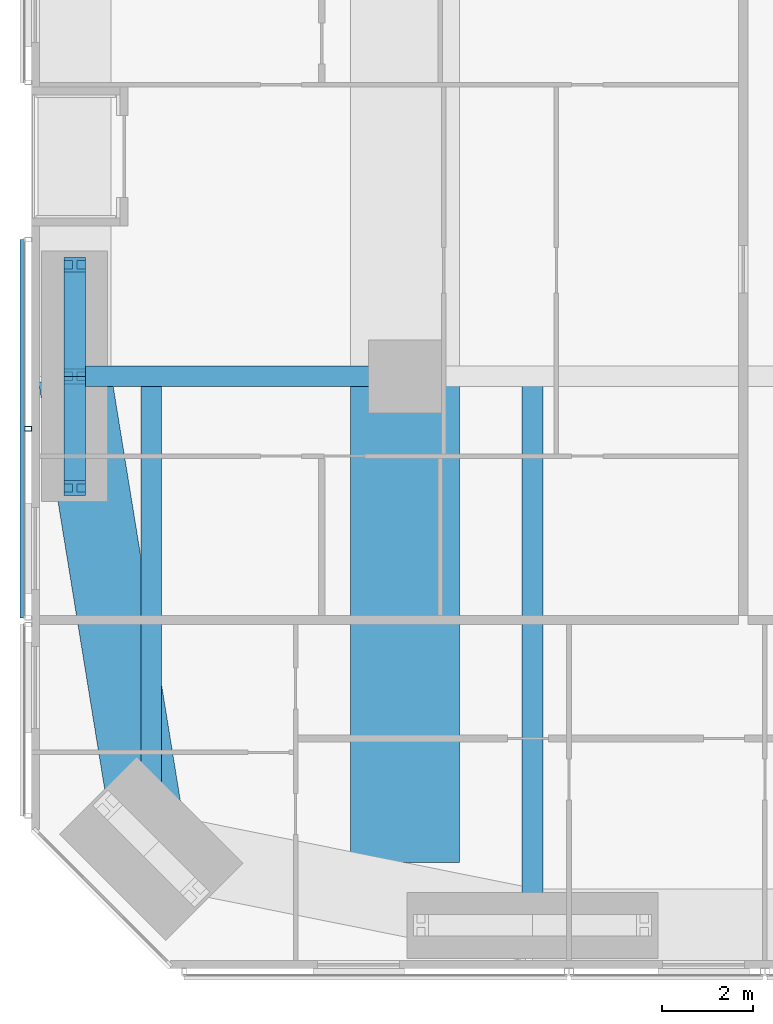
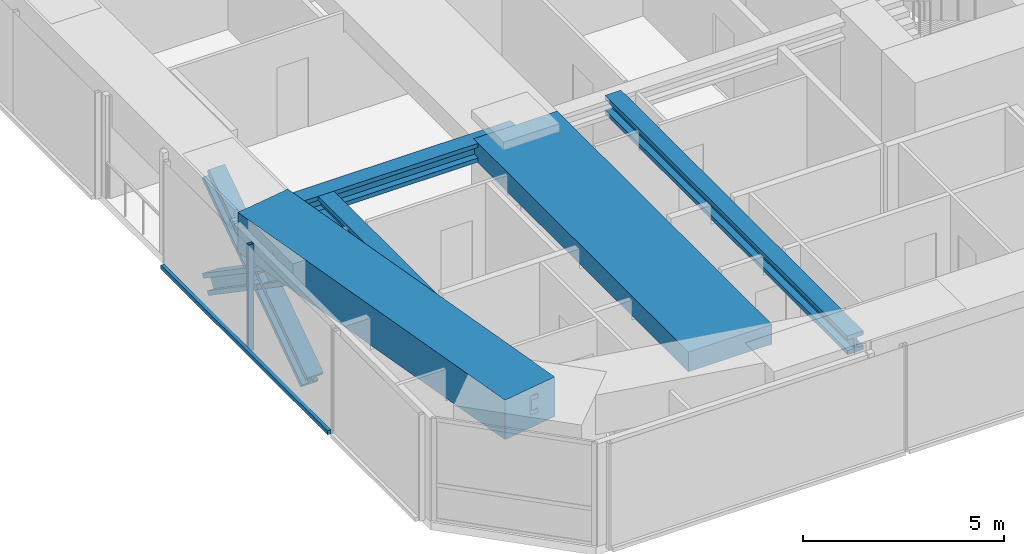
# One storey, part 3 of 24: 6 members, 5 beams, 1 element without a shape of its own.
"""IFC4 building model written with IfcOpenShell, lengths in metres."""

from ifc_helpers import new_model, si_unit, direction, frame, origin, origin_2d, place, context, subcontext, project, spatial, rectangle, hollow_rectangle, i_section, extrude, material, material_profile, profile_set, type_object, element, aggregate, save


model = new_model("IFC4")

# Units and contexts
model_context = context("Model", 3, precision=1e-05, world=origin(), true_north=direction((0.0, 1.0)))
body_context = subcontext(model_context, "Body", "Model", "MODEL_VIEW")
ifc_project = project(units=[si_unit("LENGTHUNIT", "METRE"), si_unit("AREAUNIT", "SQUARE_METRE"), si_unit("VOLUMEUNIT", "CUBIC_METRE"), si_unit("PLANEANGLEUNIT", "RADIAN"), si_unit("MASSUNIT", "GRAM", prefix="KILO")], contexts=[model_context])

# Site, building, storey
site_placement = place(None, origin())
site = spatial("IfcSite", under=ifc_project, at=site_placement, CompositionType="ELEMENT")
building_placement = place(site_placement, origin())
building = spatial("IfcBuilding", under=site, at=building_placement, Name="Jalousie Tower", CompositionType="ELEMENT")
storey_placement = place(building_placement, frame((0.0, 0.0, 61.199951171875)))
storey = spatial("IfcBuildingStorey", under=building, at=storey_placement, Name="L16", CompositionType="ELEMENT", Elevation=61.199951171875)

# Beams
ifc_material_1 = material(Name="Steel ASTM A992 Grade 50", Category="steel")
ifc_material_profile_1 = material_profile(ifc_material_1, i_section(OverallWidth=0.45458984375, OverallDepth=0.569091796875, WebThickness=0.077880859375, FlangeThickness=0.124755859375, at=origin_2d()), Name="W14X730")
ifc_profile_set_1 = profile_set([ifc_material_profile_1], Name="Steel ASTM A992 Grade 50")
beam_type_1 = type_object("IfcBeamType", Name="LEAN COLLECTOR W14X730", PredefinedType="BEAM", material=ifc_profile_set_1)
beam_1_placement = place(storey_placement, frame((2.949951171875, 13.0, 2.825439453125), z_axis=(1.0, 0.0, 0.0), x_axis=(0.0, 1.0, 0.0)))
element("IfcBeam", 1, at=beam_1_placement, inside=storey, type_object=beam_type_1, Name="Lean collector under L17", PredefinedType="BEAM", context=body_context, shape_type="SweptSolid", body=[
    extrude(i_section(OverallWidth=0.45458984375, OverallDepth=0.569091796875, WebThickness=0.077880859375, FlangeThickness=0.124755859375, at=origin_2d()), origin(), (0.0, 0.0, 1.0), 7.25),
])
beam_2_placement = place(storey_placement, frame((4.63134765625, 2.63134765625, 2.825439453125), z_axis=(0.0, 1.0, 0.0), x_axis=(-1.0, 0.0, 0.0)))
element("IfcBeam", 2, at=beam_2_placement, inside=storey, type_object=beam_type_1, Name="Lean collector under L17", PredefinedType="BEAM", context=body_context, shape_type="SweptSolid", body=[
    extrude(i_section(OverallWidth=0.45458984375, OverallDepth=0.569091796875, WebThickness=0.077880859375, FlangeThickness=0.124755859375, at=origin_2d()), origin(), (0.0, 0.0, 1.0), 10.36865234375),
])
beam_3_placement = place(storey_placement, frame((13.0, 0.949951171875, 2.825439453125), z_axis=(0.0, 1.0, 0.0), x_axis=(-1.0, 0.0, 0.0)))
element("IfcBeam", 3, at=beam_3_placement, inside=storey, type_object=beam_type_1, Name="Lean collector under L17", PredefinedType="BEAM", context=body_context, shape_type="SweptSolid", body=[
    extrude(i_section(OverallWidth=0.45458984375, OverallDepth=0.569091796875, WebThickness=0.077880859375, FlangeThickness=0.124755859375, at=origin_2d()), origin(), (0.0, 0.0, 1.0), 12.050048828125),
])

# Members
ifc_material_2 = material(Name="Steel ASTM A992 Grade 50", Category="steel")
ifc_material_profile_2 = material_profile(ifc_material_2, i_section(OverallWidth=0.472412109375, OverallDepth=0.5791015625, WebThickness=0.094970703125, FlangeThickness=0.1298828125, at=origin_2d()), Name="W14X808")
ifc_profile_set_2 = profile_set([ifc_material_profile_2], Name="Steel ASTM A992 Grade 50")
member_type_1 = type_object("IfcMemberType", Name="PERIMETER BRACE W14X808", PredefinedType="BRACE", material=ifc_profile_set_2)
for number, where, z_axis, x_axis, name in (
    (4, (2.949951171875, 10.550048828125, -0.599853515625), (0.0, 0.825539243753, 0.564344714713), (-1.0, 0.0, 0.0), "Perimeter brace 14 L16 part 1"),
    (5, (2.949951171875, 13.0, 1.074951171875), (0.0, 0.825500916831, 0.564400776321), (-1.0, 0.0, 0.0), "Perimeter brace 14 L16 part 2"),
    (6, (2.949951171875, 15.449951171875, -0.599853515625), (0.0, -0.825539243753, 0.564344714713), (1.0, 0.0, 0.0), "Perimeter brace 14 L16 part 3"),
    (7, (2.949951171875, 13.0, 1.074951171875), (0.0, -0.825500916831, 0.564400776321), (1.0, 0.0, 0.0), "Perimeter brace 14 L16 part 4"),
):
    element("IfcMember", number, at=place(storey_placement, frame(where, z_axis=z_axis, x_axis=x_axis)), inside=storey, type_object=member_type_1, Name=name, PredefinedType="BRACE", context=body_context, shape_type="SweptSolid", body=[
        extrude(i_section(OverallWidth=0.472412109375, OverallDepth=0.5791015625, WebThickness=0.094970703125, FlangeThickness=0.1298828125, at=origin_2d()), origin(), (0.0, 0.0, 1.0), 2.9677734375),
    ])

# Beams
ifc_material_3 = material(Name="Concrete f'c 40 MPa", Category="concrete")
ifc_material_profile_3 = material_profile(ifc_material_3, rectangle(XDim=1.60009765625, YDim=1.199951171875, at=origin_2d()), Name="RC 1600x1200")
ifc_profile_set_3 = profile_set([ifc_material_profile_3], Name="Concrete f'c 40 MPa")
beam_type_2 = type_object("IfcBeamType", Name="RC BEAM 1600x1200", PredefinedType="BEAM", material=ifc_profile_set_3)
beam_4_placement = place(storey_placement, frame((2.949951171875, 13.0, 2.75), z_axis=(0.160070546476, -0.987105577003, 0.0), x_axis=(0.987105577003, 0.160070546476, 0.0)))
element("IfcBeam", 8, at=beam_4_placement, inside=storey, type_object=beam_type_2, Name="Edge band beam 14-01 under L17", PredefinedType="BEAM", context=body_context, shape_type="SweptSolid", body=[
    extrude(rectangle(XDim=1.60009765625, YDim=1.199951171875, at=origin_2d()), origin(), (0.0, 0.0, 1.0), 10.504150390625),
])
ifc_material_4 = material(Name="Concrete f'c 40 MPa", Category="concrete")
ifc_material_profile_4 = material_profile(ifc_material_4, rectangle(XDim=2.39990234375, YDim=0.60009765625, at=origin_2d()), Name="RC 2400x600")
ifc_profile_set_4 = profile_set([ifc_material_profile_4], Name="Concrete f'c 40 MPa")
beam_type_3 = type_object("IfcBeamType", Name="RC BEAM 2400x600", PredefinedType="BEAM", material=ifc_profile_set_4)
beam_5_placement = place(storey_placement, frame((10.199951171875, 13.0, 2.81005859375), z_axis=(0.0, -1.0, 0.0), x_axis=(1.0, 0.0, 0.0)))
element("IfcBeam", 9, at=beam_5_placement, inside=storey, type_object=beam_type_3, Name="Floor band beam under L17", PredefinedType="BEAM", context=body_context, shape_type="SweptSolid", body=[
    extrude(rectangle(XDim=2.39990234375, YDim=0.60009765625, at=origin_2d()), origin(), (0.0, 0.0, 1.0), 10.67138671875),
])

# Curtain wall, members
ifc_material_5 = material(Name="Perforated aluminium sheet", Category="aluminium")
curtain_wall_type = type_object("IfcCurtainWallType", Name="SOLAR SCREEN SS-1", PredefinedType="USERDEFINED", material=ifc_material_5)
curtain_wall_placement = place(storey_placement, origin())
curtain_wall = element("IfcCurtainWall", 10, at=curtain_wall_placement, inside=storey, type_object=curtain_wall_type, Name="Solar screen L16", ObjectType="SOLAR SCREEN SS-1", PredefinedType="USERDEFINED")
ifc_material_6 = material(Name="Steel ASTM A500 Grade C", Category="steel")
ifc_material_profile_5 = material_profile(ifc_material_6, hollow_rectangle(XDim=0.1015625, YDim=0.15234375, WallThickness=0.00634765625, at=origin_2d()), Name="HSS6X4X1/4")
ifc_profile_set_5 = profile_set([ifc_material_profile_5], Name="Steel ASTM A500 Grade C")
member_type_2 = type_object("IfcMemberType", Name="SOLAR SCREEN SS-1 MULLION", PredefinedType="MULLION", material=ifc_profile_set_5)
member_1_placement = place(storey_placement, frame((1.9287109375, 11.85009765625, -0.119873046875), z_axis=(0.0, 0.0, 1.0), x_axis=(0.0, -1.0, 0.0)))
member_1 = element("IfcMember", 11, at=member_1_placement, type_object=member_type_2, Name="SS1 post 2", PredefinedType="MULLION", context=body_context, shape_type="SweptSolid", body=[
    extrude(hollow_rectangle(XDim=0.1015625, YDim=0.15234375, WallThickness=0.00634765625, at=origin_2d()), origin(), (0.0, 0.0, 1.0), 3.22998046875),
])
ifc_material_7 = material(Name="Extruded aluminium screen rail", Category="aluminium")
ifc_material_profile_6 = material_profile(ifc_material_7, rectangle(XDim=0.1015625, YDim=0.1201171875, at=origin_2d()), Name="RAIL 102x120")
ifc_profile_set_6 = profile_set([ifc_material_profile_6], Name="Extruded aluminium screen rail")
member_type_3 = type_object("IfcMemberType", Name="SOLAR SCREEN SS-1 TRANSOM", PredefinedType="USERDEFINED", material=ifc_profile_set_6)
member_2_placement = place(storey_placement, frame((1.8017578125, 16.0, -0.06005859375), z_axis=(0.0, -1.0, 0.0), x_axis=(1.0, 0.0, 0.0)))
member_2 = element("IfcMember", 12, at=member_2_placement, type_object=member_type_3, Name="SS1 rail", ObjectType="TRANSOM", PredefinedType="USERDEFINED", context=body_context, shape_type="SweptSolid", body=[
    extrude(rectangle(XDim=0.1015625, YDim=0.1201171875, at=origin_2d()), origin(), (0.0, 0.0, 1.0), 8.300048828125),
])
aggregate(curtain_wall, [member_1, member_2])

save(model, "model.ifc")
